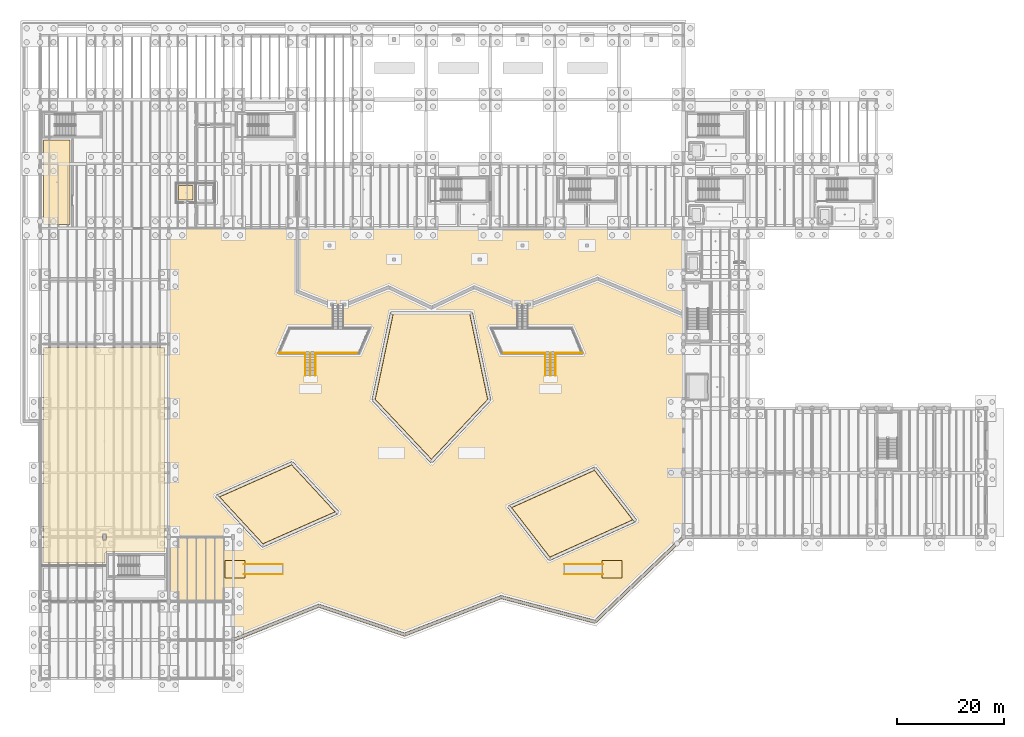
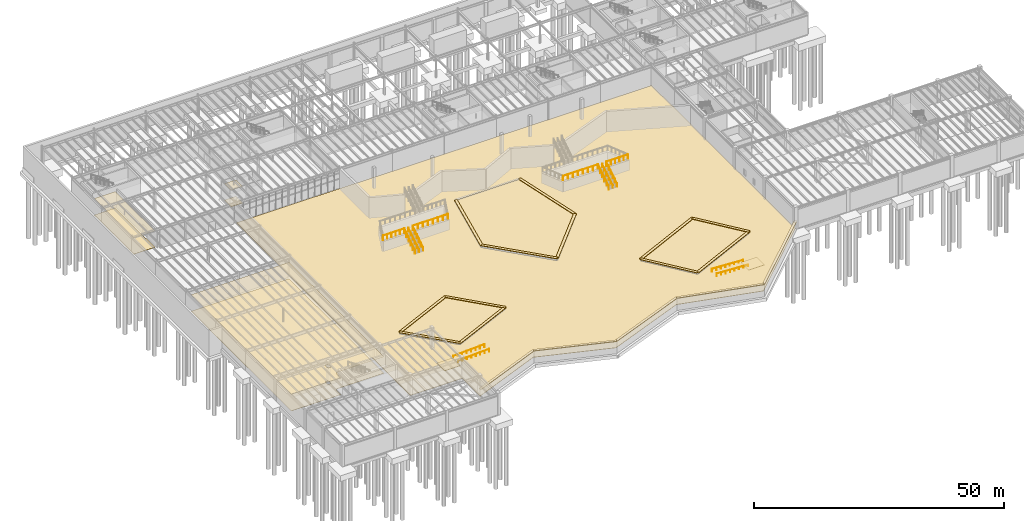
# One storey, part 53 of 67: 29 coverings, 14 railings.
"""IFC4 building model written with IfcOpenShell, lengths in metres."""

from ifc_helpers import new_model, si_unit, direction, frame, origin, origin_2d, place, context, subcontext, project, spatial, polyline, circle, outline, extrude, material, layer, layer_set, type_object, element, save


model = new_model("IFC4")

# Units and contexts
model_context = context("Model", 3, precision=1e-05, world=origin(), true_north=direction((0.0, 1.0)))
body_context = subcontext(model_context, "Body", "Model", "MODEL_VIEW")
ifc_project = project(units=[si_unit("LENGTHUNIT", "METRE"), si_unit("AREAUNIT", "SQUARE_METRE"), si_unit("VOLUMEUNIT", "CUBIC_METRE"), si_unit("PLANEANGLEUNIT", "RADIAN"), si_unit("MASSUNIT", "GRAM", prefix="KILO")], contexts=[model_context])

# Site, building, storey
site_placement = place(None, origin())
site = spatial("IfcSite", under=ifc_project, at=site_placement, CompositionType="ELEMENT")
building_placement = place(site_placement, origin())
building = spatial("IfcBuilding", under=site, at=building_placement, Name="Zlatogorsky Bluff Art Gallery", CompositionType="ELEMENT")
storey_placement = place(building_placement, frame((0.0, 0.0, -5.39990234375)))
storey = spatial("IfcBuildingStorey", under=building, at=storey_placement, Name="B1", CompositionType="ELEMENT", Elevation=-5.39990234375)

# Coverings
ifc_material_1 = material(Name="Perforated Gypsum Acoustic Board", Category="gypsum")
ifc_layer_1 = layer(ifc_material_1, 0.0400390625)
ifc_layer_set_1 = layer_set([ifc_layer_1], Name="Acoustic Gallery Ceiling CLG-01")
covering_type_1 = type_object("IfcCoveringType", Name="Acoustic Gallery Ceiling CLG-01", PredefinedType="CEILING", material=ifc_layer_set_1)
covering_1_placement = place(storey_placement, frame((0.0, 0.0, 4.0498046875)))
element("IfcCovering", 1, at=covering_1_placement, inside=storey, type_object=covering_type_1, Name="Public Restrooms and Staff WC acoustic ceiling", PredefinedType="CEILING", context=body_context, shape_type="SweptSolid", body=[
    extrude(outline(polyline([(28.550048828125, 91.949951171875), (28.550048828125, 89.25), (25.85009765625, 89.25), (25.85009765625, 91.949951171875), (28.550048828125, 91.949951171875)])), origin(), (0.0, 0.0, 1.0), 0.0400390625),
])
covering_2_placement = place(storey_placement, frame((0.0, 0.0, 4.0498046875)))
element("IfcCovering", 2, at=covering_2_placement, inside=storey, type_object=covering_type_1, Name="Conservation Framing and Crating Studio acoustic ceiling", PredefinedType="CEILING", context=body_context, shape_type="SweptSolid", body=[
    extrude(outline(polyline([(12.549072265625, 23.659912109375), (12.504638671875, 23.65771484375), (12.460693359375, 23.6513671875), (12.459716796875, 23.651123046875), (12.450439453125, 23.649169921875), (12.449462890625, 23.64892578125), (12.40625, 23.636962890625), (12.3642578125, 23.620849609375), (12.362548828125, 23.6201171875), (12.326904296875, 23.602294921875), (12.325927734375, 23.601806640625), (12.293701171875, 23.58203125), (12.26318359375, 23.559814453125), (12.26171875, 23.55859375), (12.224609375, 23.525390625), (12.19140625, 23.48828125), (12.190185546875, 23.48681640625), (12.16796875, 23.456298828125), (12.148193359375, 23.424072265625), (12.147705078125, 23.423095703125), (12.1298828125, 23.387451171875), (12.129150390625, 23.3857421875), (12.113037109375, 23.34375), (12.10107421875, 23.300537109375), (12.100830078125, 23.299560546875), (12.098876953125, 23.290283203125), (12.0986328125, 23.289306640625), (12.09228515625, 23.245361328125), (12.090087890625, 23.200927734375), (12.090087890625, 21.52490234375), (0.669921875, 21.52490234375), (0.669921875, 61.72998046875), (23.330078125, 61.72998046875), (23.330078125, 23.659912109375), (12.549072265625, 23.659912109375)]), holes=[polyline([(11.6201171875, 25.8701171875), (12.3798828125, 25.8701171875), (12.3798828125, 26.929931640625), (11.6201171875, 26.929931640625), (11.6201171875, 25.8701171875)])]), origin(), (0.0, 0.0, 1.0), 0.0400390625),
])
covering_3_placement = place(storey_placement, frame((0.0, 0.0, 4.0498046875)))
element("IfcCovering", 3, at=covering_3_placement, inside=storey, type_object=covering_type_1, Name="Climate-Controlled Art Stores acoustic ceiling", PredefinedType="CEILING", context=body_context, shape_type="SweptSolid", body=[
    extrude(outline(polyline([(0.669921875, 100.489990234375), (5.550048828125, 100.489990234375), (5.550048828125, 84.669921875), (0.669921875, 84.669921875), (0.669921875, 100.489990234375)])), origin(), (0.0, 0.0, 1.0), 0.0400390625),
])
ifc_material_2 = material(Name="Honed Red Agra-Tone Quartzitic Sandstone", Category="masonry")
ifc_layer_2 = layer(ifc_material_2, 0.1201171875)
ifc_layer_set_2 = layer_set([ifc_layer_2], Name="Carved Sandstone Cladding CLD-02")
covering_type_2 = type_object("IfcCoveringType", Name="Carved Sandstone Cladding CLD-02", PredefinedType="CLADDING", material=ifc_layer_set_2)
covering_4_placement = place(storey_placement, frame((0.0, 0.0, 0.489990234375)))
element("IfcCovering", 4, at=covering_4_placement, inside=storey, type_object=covering_type_2, Name="Sandstone bluff wall coping PRW-01", PredefinedType="CLADDING", context=body_context, shape_type="SweptSolid", body=[
    extrude(outline(polyline([(65.30859375, 68.260986328125), (61.884033203125, 51.943603515625), (62.466796875, 51.821533203125), (65.891357421875, 68.138916015625), (65.30859375, 68.260986328125)])), origin(), (0.0, 0.0, 1.0), 0.14990234375),
])
covering_5_placement = place(storey_placement, frame((0.0, 0.0, 0.489990234375)))
element("IfcCovering", 5, at=covering_5_placement, inside=storey, type_object=covering_type_2, Name="Sandstone bluff wall coping PRW-02", PredefinedType="CLADDING", context=body_context, shape_type="SweptSolid", body=[
    extrude(outline(polyline([(61.983154296875, 51.79638671875), (72.865234375, 40.208740234375), (73.299072265625, 40.6162109375), (62.4169921875, 52.20361328125), (61.983154296875, 51.79638671875)])), origin(), (0.0, 0.0, 1.0), 0.14990234375),
])
covering_6_placement = place(storey_placement, frame((0.0, 0.0, 0.489990234375)))
element("IfcCovering", 6, at=covering_6_placement, inside=storey, type_object=covering_type_2, Name="Sandstone bluff wall coping PRW-03", PredefinedType="CLADDING", context=body_context, shape_type="SweptSolid", body=[
    extrude(outline(polyline([(73.216796875, 40.29638671875), (84.09912109375, 51.8837890625), (83.665283203125, 52.291259765625), (72.783203125, 40.70361328125), (73.216796875, 40.29638671875)])), origin(), (0.0, 0.0, 1.0), 0.14990234375),
])
covering_7_placement = place(storey_placement, frame((0.0, 0.0, 0.489990234375)))
element("IfcCovering", 7, at=covering_7_placement, inside=storey, type_object=covering_type_2, Name="Sandstone bluff wall coping PRW-04", PredefinedType="CLADDING", context=body_context, shape_type="SweptSolid", body=[
    extrude(outline(polyline([(84.09130859375, 52.06103515625), (80.666748046875, 68.37841796875), (80.083984375, 68.25634765625), (83.5087890625, 51.93896484375), (84.09130859375, 52.06103515625)])), origin(), (0.0, 0.0, 1.0), 0.14990234375),
])
covering_8_placement = place(storey_placement, frame((0.0, 0.0, 1.619873046875)))
element("IfcCovering", 8, at=covering_8_placement, inside=storey, type_object=covering_type_2, Name="Sandstone bluff wall coping SBF-01", PredefinedType="CLADDING", context=body_context, shape_type="SweptSolid", body=[
    extrude(outline(polyline([(36.110595703125, 6.923583984375), (52.221923828125, 13.368408203125), (52.0009765625, 13.9208984375), (35.889404296875, 7.476318359375), (36.110595703125, 6.923583984375)])), origin(), (0.0, 0.0, 1.0), 0.150146484375),
])
covering_9_placement = place(storey_placement, frame((0.0, 0.0, 1.619873046875)))
element("IfcCovering", 9, at=covering_9_placement, inside=storey, type_object=covering_type_2, Name="Sandstone bluff wall coping SBF-02", PredefinedType="CLADDING", context=body_context, shape_type="SweptSolid", body=[
    extrude(outline(polyline([(51.90478515625, 13.318115234375), (68.0185546875, 7.879638671875), (68.208984375, 8.443603515625), (52.09521484375, 13.882080078125), (51.90478515625, 13.318115234375)])), origin(), (0.0, 0.0, 1.0), 0.150146484375),
])
covering_10_placement = place(storey_placement, frame((0.0, 0.0, 1.619873046875)))
element("IfcCovering", 10, at=covering_10_placement, inside=storey, type_object=covering_type_2, Name="Sandstone bluff wall coping SBF-03", PredefinedType="CLADDING", context=body_context, shape_type="SweptSolid", body=[
    extrude(outline(polyline([(68.10791015625, 7.922607421875), (86.2197265625, 14.966064453125), (86.00390625, 15.52099609375), (67.89208984375, 8.477294921875), (68.10791015625, 7.922607421875)])), origin(), (0.0, 0.0, 1.0), 0.150146484375),
])
covering_11_placement = place(storey_placement, frame((0.0, 0.0, 1.619873046875)))
element("IfcCovering", 11, at=covering_11_placement, inside=storey, type_object=covering_type_2, Name="Sandstone bluff wall coping SBF-04", PredefinedType="CLADDING", context=body_context, shape_type="SweptSolid", body=[
    extrude(outline(polyline([(85.92431640625, 14.912109375), (103.540283203125, 10.28173828125), (103.69189453125, 10.857421875), (86.07568359375, 15.48779296875), (85.92431640625, 14.912109375)])), origin(), (0.0, 0.0, 1.0), 0.150146484375),
])
covering_12_placement = place(storey_placement, frame((0.0, 0.0, 1.619873046875)))
element("IfcCovering", 12, at=covering_12_placement, inside=storey, type_object=covering_type_2, Name="Sandstone bluff wall coping SBF-05", PredefinedType="CLADDING", context=body_context, shape_type="SweptSolid", body=[
    extrude(outline(polyline([(103.705810546875, 10.385009765625), (120.29248046875, 26.26806640625), (119.880859375, 26.697998046875), (103.294189453125, 10.81494140625), (103.705810546875, 10.385009765625)])), origin(), (0.0, 0.0, 1.0), 0.150146484375),
])
covering_13_placement = place(storey_placement, frame((0.0, 0.0, 0.349853515625)))
element("IfcCovering", 13, at=covering_13_placement, inside=storey, type_object=covering_type_2, Name="Sandstone bluff wall coping WPL-01", PredefinedType="CLADDING", context=body_context, shape_type="SweptSolid", body=[
    extrude(outline(polyline([(33.12060546875, 33.727783203125), (47.230224609375, 39.9765625), (46.9892578125, 40.520751953125), (32.87939453125, 34.272216796875), (33.12060546875, 33.727783203125)])), origin(), (0.0, 0.0, 1.0), 0.150146484375),
])
covering_14_placement = place(storey_placement, frame((0.0, 0.0, 0.349853515625)))
element("IfcCovering", 14, at=covering_14_placement, inside=storey, type_object=covering_type_2, Name="Sandstone bluff wall coping WPL-02", PredefinedType="CLADDING", context=body_context, shape_type="SweptSolid", body=[
    extrude(outline(polyline([(46.781494140625, 39.998046875), (55.36279296875, 30.7099609375), (55.800048828125, 31.114013671875), (47.218505859375, 40.402099609375), (46.781494140625, 39.998046875)])), origin(), (0.0, 0.0, 1.0), 0.150146484375),
])
covering_15_placement = place(storey_placement, frame((0.0, 0.0, 0.349853515625)))
element("IfcCovering", 15, at=covering_15_placement, inside=storey, type_object=covering_type_2, Name="Sandstone bluff wall coping WPL-03", PredefinedType="CLADDING", context=body_context, shape_type="SweptSolid", body=[
    extrude(outline(polyline([(55.37939453125, 31.272216796875), (41.269775390625, 25.0234375), (41.5107421875, 24.479248046875), (55.62060546875, 30.727783203125), (55.37939453125, 31.272216796875)])), origin(), (0.0, 0.0, 1.0), 0.150146484375),
])
covering_16_placement = place(storey_placement, frame((0.0, 0.0, 0.349853515625)))
element("IfcCovering", 16, at=covering_16_placement, inside=storey, type_object=covering_type_2, Name="Sandstone bluff wall coping WPL-04", PredefinedType="CLADDING", context=body_context, shape_type="SweptSolid", body=[
    extrude(outline(polyline([(41.718505859375, 25.001953125), (33.13720703125, 34.2900390625), (32.699951171875, 33.885986328125), (41.281494140625, 24.597900390625), (41.718505859375, 25.001953125)])), origin(), (0.0, 0.0, 1.0), 0.150146484375),
])
covering_17_placement = place(storey_placement, frame((0.0, 0.0, 0.349853515625)))
element("IfcCovering", 17, at=covering_17_placement, inside=storey, type_object=covering_type_2, Name="Sandstone bluff wall coping EPL-01", PredefinedType="CLADDING", context=body_context, shape_type="SweptSolid", body=[
    extrude(outline(polyline([(87.6220703125, 31.728515625), (103.7314453125, 38.977783203125), (103.4873046875, 39.5205078125), (87.3779296875, 32.271484375), (87.6220703125, 31.728515625)])), origin(), (0.0, 0.0, 1.0), 0.150146484375),
])
covering_18_placement = place(storey_placement, frame((0.0, 0.0, 0.349853515625)))
element("IfcCovering", 18, at=covering_18_placement, inside=storey, type_object=covering_type_2, Name="Sandstone bluff wall coping EPL-02", PredefinedType="CLADDING", context=body_context, shape_type="SweptSolid", body=[
    extrude(outline(polyline([(103.2646484375, 39.01806640625), (110.837890625, 29.22314453125), (111.308837890625, 29.587158203125), (103.7353515625, 39.382080078125), (103.2646484375, 39.01806640625)])), origin(), (0.0, 0.0, 1.0), 0.150146484375),
])
covering_19_placement = place(storey_placement, frame((0.0, 0.0, 0.349853515625)))
element("IfcCovering", 19, at=covering_19_placement, inside=storey, type_object=covering_type_2, Name="Sandstone bluff wall coping EPL-03", PredefinedType="CLADDING", context=body_context, shape_type="SweptSolid", body=[
    extrude(outline(polyline([(110.8779296875, 29.771484375), (94.7685546875, 22.522216796875), (95.0126953125, 21.9794921875), (111.1220703125, 29.228515625), (110.8779296875, 29.771484375)])), origin(), (0.0, 0.0, 1.0), 0.150146484375),
])
covering_20_placement = place(storey_placement, frame((0.0, 0.0, 0.349853515625)))
element("IfcCovering", 20, at=covering_20_placement, inside=storey, type_object=covering_type_2, Name="Sandstone bluff wall coping EPL-04", PredefinedType="CLADDING", context=body_context, shape_type="SweptSolid", body=[
    extrude(outline(polyline([(95.2353515625, 22.48193359375), (87.662109375, 32.27685546875), (87.191162109375, 31.912841796875), (94.7646484375, 22.117919921875), (95.2353515625, 22.48193359375)])), origin(), (0.0, 0.0, 1.0), 0.150146484375),
])

# Railings
ifc_material_3 = material(Name="Architectural Bronze and Laminated Glass", Category="glass")
railing_type_1 = type_object("IfcRailingType", Name="Gallery Guard Rail 1100mm", PredefinedType="GUARDRAIL", material=ifc_material_3)
for number, where, name in (
    (21, (49.449951171875, 56.550048828125, 0.0), "ST-AMP-1 flight 1 W guard rail"),
    (22, (51.35009765625, 56.550048828125, 0.0), "ST-AMP-1 flight 1 E guard rail"),
):
    element("IfcRailing", number, at=place(storey_placement, frame(where)), inside=storey, type_object=railing_type_1, Name=name, PredefinedType="GUARDRAIL", context=body_context, shape_type="SweptSolid", body=[
        extrude(circle(Radius=0.02392578125, at=origin_2d()), frame((0.0, 0.0, 1.076171875), z_axis=(0.0, 0.841180064094, 0.540755119968), x_axis=(-1.0, 0.0, 0.0)), (0.0, 0.0, 1.0), 4.992919921875),
        extrude(circle(Radius=0.02099609375, at=origin_2d()), origin(), (0.0, 0.0, 1.0), 1.052001953125),
        extrude(circle(Radius=0.02099609375, at=origin_2d()), frame((0.0, 0.840087890625, 0.5400390625)), (0.0, 0.0, 1.0), 1.052001953125),
        extrude(circle(Radius=0.02099609375, at=origin_2d()), frame((0.0, 1.679931640625, 1.080078125)), (0.0, 0.0, 1.0), 1.052001953125),
        extrude(circle(Radius=0.02099609375, at=origin_2d()), frame((0.0, 2.52001953125, 1.619873046875)), (0.0, 0.0, 1.0), 1.052001953125),
        extrude(circle(Radius=0.02099609375, at=origin_2d()), frame((0.0, 3.35986328125, 2.159912109375)), (0.0, 0.0, 1.0), 1.052001953125),
        extrude(circle(Radius=0.02099609375, at=origin_2d()), frame((0.0, 4.199951171875, 2.699951171875)), (0.0, 0.0, 1.0), 1.052001953125),
    ])
railing_1_placement = place(storey_placement, frame((44.5, 60.75, 2.699951171875)))
element("IfcRailing", 23, at=railing_1_placement, inside=storey, type_object=railing_type_1, Name="ST-AMP-1 mid-terrace guardrail 1", PredefinedType="GUARDRAIL", context=body_context, shape_type="SweptSolid", body=[
    extrude(circle(Radius=0.02392578125, at=origin_2d()), frame((0.0, 0.0, 1.076171875), z_axis=(1.0, 0.0, 0.0), x_axis=(0.0, 1.0, 0.0)), (0.0, 0.0, 1.0), 4.89990234375),
    extrude(circle(Radius=0.02099609375, at=origin_2d()), origin(), (0.0, 0.0, 1.0), 1.052001953125),
    extrude(circle(Radius=0.02099609375, at=origin_2d()), frame((0.97998046875, 0.0, 0.0)), (0.0, 0.0, 1.0), 1.052001953125),
    extrude(circle(Radius=0.02099609375, at=origin_2d()), frame((1.9599609375, 0.0, 0.0)), (0.0, 0.0, 1.0), 1.052001953125),
    extrude(circle(Radius=0.02099609375, at=origin_2d()), frame((2.93994140625, 0.0, 0.0)), (0.0, 0.0, 1.0), 1.052001953125),
    extrude(circle(Radius=0.02099609375, at=origin_2d()), frame((3.919921875, 0.0, 0.0)), (0.0, 0.0, 1.0), 1.052001953125),
    extrude(circle(Radius=0.02099609375, at=origin_2d()), frame((4.89990234375, 0.0, 0.0)), (0.0, 0.0, 1.0), 1.052001953125),
])
railing_2_placement = place(storey_placement, frame((51.39990234375, 60.75, 2.699951171875)))
element("IfcRailing", 24, at=railing_2_placement, inside=storey, type_object=railing_type_1, Name="ST-AMP-1 mid-terrace guardrail 2", PredefinedType="GUARDRAIL", context=body_context, shape_type="SweptSolid", body=[
    extrude(circle(Radius=0.02392578125, at=origin_2d()), frame((0.0, 0.0, 1.076171875), z_axis=(1.0, 0.0, 0.0), x_axis=(0.0, 1.0, 0.0)), (0.0, 0.0, 1.0), 8.10009765625),
    extrude(circle(Radius=0.02099609375, at=origin_2d()), origin(), (0.0, 0.0, 1.0), 1.052001953125),
    extrude(circle(Radius=0.02099609375, at=origin_2d()), frame((1.1572265625, 0.0, 0.0)), (0.0, 0.0, 1.0), 1.052001953125),
    extrude(circle(Radius=0.02099609375, at=origin_2d()), frame((2.314208984375, 0.0, 0.0)), (0.0, 0.0, 1.0), 1.052001953125),
    extrude(circle(Radius=0.02099609375, at=origin_2d()), frame((3.471435546875, 0.0, 0.0)), (0.0, 0.0, 1.0), 1.052001953125),
    extrude(circle(Radius=0.02099609375, at=origin_2d()), frame((4.628662109375, 0.0, 0.0)), (0.0, 0.0, 1.0), 1.052001953125),
    extrude(circle(Radius=0.02099609375, at=origin_2d()), frame((5.785888671875, 0.0, 0.0)), (0.0, 0.0, 1.0), 1.052001953125),
    extrude(circle(Radius=0.02099609375, at=origin_2d()), frame((6.94287109375, 0.0, 0.0)), (0.0, 0.0, 1.0), 1.052001953125),
    extrude(circle(Radius=0.02099609375, at=origin_2d()), frame((8.10009765625, 0.0, 0.0)), (0.0, 0.0, 1.0), 1.052001953125),
])
for number, where, name in (
    (25, (94.25, 56.550048828125, 0.0), "ST-AMP-2 flight 1 W guard rail"),
    (26, (96.14990234375, 56.550048828125, 0.0), "ST-AMP-2 flight 1 E guard rail"),
):
    element("IfcRailing", number, at=place(storey_placement, frame(where)), inside=storey, type_object=railing_type_1, Name=name, PredefinedType="GUARDRAIL", context=body_context, shape_type="SweptSolid", body=[
        extrude(circle(Radius=0.02392578125, at=origin_2d()), frame((0.0, 0.0, 1.076171875), z_axis=(0.0, 0.841180064094, 0.540755119968), x_axis=(-1.0, 0.0, 0.0)), (0.0, 0.0, 1.0), 4.992919921875),
        extrude(circle(Radius=0.02099609375, at=origin_2d()), origin(), (0.0, 0.0, 1.0), 1.052001953125),
        extrude(circle(Radius=0.02099609375, at=origin_2d()), frame((0.0, 0.840087890625, 0.5400390625)), (0.0, 0.0, 1.0), 1.052001953125),
        extrude(circle(Radius=0.02099609375, at=origin_2d()), frame((0.0, 1.679931640625, 1.080078125)), (0.0, 0.0, 1.0), 1.052001953125),
        extrude(circle(Radius=0.02099609375, at=origin_2d()), frame((0.0, 2.52001953125, 1.619873046875)), (0.0, 0.0, 1.0), 1.052001953125),
        extrude(circle(Radius=0.02099609375, at=origin_2d()), frame((0.0, 3.35986328125, 2.159912109375)), (0.0, 0.0, 1.0), 1.052001953125),
        extrude(circle(Radius=0.02099609375, at=origin_2d()), frame((0.0, 4.199951171875, 2.699951171875)), (0.0, 0.0, 1.0), 1.052001953125),
    ])
railing_3_placement = place(storey_placement, frame((86.10009765625, 60.75, 2.699951171875)))
element("IfcRailing", 27, at=railing_3_placement, inside=storey, type_object=railing_type_1, Name="ST-AMP-2 mid-terrace guardrail 1", PredefinedType="GUARDRAIL", context=body_context, shape_type="SweptSolid", body=[
    extrude(circle(Radius=0.02392578125, at=origin_2d()), frame((0.0, 0.0, 1.076171875), z_axis=(1.0, 0.0, 0.0), x_axis=(0.0, 1.0, 0.0)), (0.0, 0.0, 1.0), 8.099853515625),
    extrude(circle(Radius=0.02099609375, at=origin_2d()), origin(), (0.0, 0.0, 1.0), 1.052001953125),
    extrude(circle(Radius=0.02099609375, at=origin_2d()), frame((1.1572265625, 0.0, 0.0)), (0.0, 0.0, 1.0), 1.052001953125),
    extrude(circle(Radius=0.02099609375, at=origin_2d()), frame((2.314208984375, 0.0, 0.0)), (0.0, 0.0, 1.0), 1.052001953125),
    extrude(circle(Radius=0.02099609375, at=origin_2d()), frame((3.471435546875, 0.0, 0.0)), (0.0, 0.0, 1.0), 1.052001953125),
    extrude(circle(Radius=0.02099609375, at=origin_2d()), frame((4.62841796875, 0.0, 0.0)), (0.0, 0.0, 1.0), 1.052001953125),
    extrude(circle(Radius=0.02099609375, at=origin_2d()), frame((5.78564453125, 0.0, 0.0)), (0.0, 0.0, 1.0), 1.052001953125),
    extrude(circle(Radius=0.02099609375, at=origin_2d()), frame((6.942626953125, 0.0, 0.0)), (0.0, 0.0, 1.0), 1.052001953125),
    extrude(circle(Radius=0.02099609375, at=origin_2d()), frame((8.099853515625, 0.0, 0.0)), (0.0, 0.0, 1.0), 1.052001953125),
])
railing_4_placement = place(storey_placement, frame((96.199951171875, 60.75, 2.699951171875)))
element("IfcRailing", 28, at=railing_4_placement, inside=storey, type_object=railing_type_1, Name="ST-AMP-2 mid-terrace guardrail 2", PredefinedType="GUARDRAIL", context=body_context, shape_type="SweptSolid", body=[
    extrude(circle(Radius=0.02392578125, at=origin_2d()), frame((0.0, 0.0, 1.076171875), z_axis=(1.0, 0.0, 0.0), x_axis=(0.0, 1.0, 0.0)), (0.0, 0.0, 1.0), 4.900146484375),
    extrude(circle(Radius=0.02099609375, at=origin_2d()), origin(), (0.0, 0.0, 1.0), 1.052001953125),
    extrude(circle(Radius=0.02099609375, at=origin_2d()), frame((0.97998046875, 0.0, 0.0)), (0.0, 0.0, 1.0), 1.052001953125),
    extrude(circle(Radius=0.02099609375, at=origin_2d()), frame((1.9599609375, 0.0, 0.0)), (0.0, 0.0, 1.0), 1.052001953125),
    extrude(circle(Radius=0.02099609375, at=origin_2d()), frame((2.940185546875, 0.0, 0.0)), (0.0, 0.0, 1.0), 1.052001953125),
    extrude(circle(Radius=0.02099609375, at=origin_2d()), frame((3.920166015625, 0.0, 0.0)), (0.0, 0.0, 1.0), 1.052001953125),
    extrude(circle(Radius=0.02099609375, at=origin_2d()), frame((4.900146484375, 0.0, 0.0)), (0.0, 0.0, 1.0), 1.052001953125),
])

# Coverings
ifc_material_4 = material(Name="Flamed Karelian Granite and Red Porphyry Charbagh Paving", Category="masonry")
ifc_layer_3 = layer(ifc_material_4, 0.06005859375)
ifc_layer_set_3 = layer_set([ifc_layer_3], Name="Granite Plaza Paving PAV-01")
covering_type_3 = type_object("IfcCoveringType", Name="Granite Plaza Paving PAV-01", PredefinedType="FLOORING", material=ifc_layer_set_3)
covering_21_placement = place(storey_placement, frame((0.0, 0.0, 0.4599609375)))
element("IfcCovering", 29, at=covering_21_placement, inside=storey, type_object=covering_type_3, Name="Central splayed concrete sculpture promontory deck (-2.40m)", PredefinedType="FLOORING", context=body_context, shape_type="SweptSolid", body=[
    extrude(outline(polyline([(65.60009765625, 68.199951171875), (62.199951171875, 52.0), (73.0, 40.5), (83.800048828125, 52.0), (80.39990234375, 68.199951171875), (65.60009765625, 68.199951171875)])), origin(), (0.0, 0.0, 1.0), 0.079833984375),
])
covering_22_placement = place(storey_placement, frame((0.0, 0.0, -0.080078125)))
element("IfcCovering", 30, at=covering_22_placement, inside=storey, type_object=covering_type_3, Name="Open-to-sky sunken sculpture & education court stone paving 1 (-5.40m)", PredefinedType="FLOORING", context=body_context, shape_type="SweptSolid", body=[
    extrude(outline(polyline([(103.5, 10.60009765625), (86.0, 15.199951171875), (68.0, 8.199951171875), (52.0, 13.60009765625), (36.0, 7.199951171875), (36.0, 14.39990234375), (24.0, 14.39990234375), (24.0, 26.39990234375), (24.0, 38.39990234375), (24.0, 50.39990234375), (24.0, 62.39990234375), (24.0, 74.39990234375), (24.0, 84.0), (36.0, 84.0), (48.0, 84.0), (60.0, 84.0), (72.0, 84.0), (84.0, 84.0), (96.0, 84.0), (108.0, 84.0), (120.0, 84.0), (120.0, 74.39990234375), (120.0, 62.39990234375), (120.0, 50.39990234375), (120.0, 38.39990234375), (120.0, 26.39990234375), (103.5, 10.60009765625)]), holes=[polyline([(103.5, 39.199951171875), (87.5, 32.0), (95.0, 22.300048828125), (111.0, 29.5), (103.5, 39.199951171875)]), polyline([(47.0, 40.199951171875), (33.0, 34.0), (41.5, 24.800048828125), (55.5, 31.0), (47.0, 40.199951171875)]), polyline([(80.39990234375, 68.199951171875), (65.60009765625, 68.199951171875), (62.199951171875, 52.0), (73.0, 40.5), (83.800048828125, 52.0), (80.39990234375, 68.199951171875)])]), origin(), (0.0, 0.0, 1.0), 0.080078125),
])
covering_23_placement = place(storey_placement, frame((0.0, 0.0, -0.420166015625)))
element("IfcCovering", 31, at=covering_23_placement, inside=storey, type_object=covering_type_3, Name="Sunken court charbagh reflecting basin 1", PredefinedType="FLOORING", context=body_context, shape_type="SweptSolid", body=[
    extrude(outline(polyline([(34.5, 18.800048828125), (38.199951171875, 18.800048828125), (38.199951171875, 22.0), (34.5, 22.0), (34.5, 18.800048828125)])), origin(), (0.0, 0.0, 1.0), 0.06005859375),
])
covering_24_placement = place(storey_placement, frame((0.0, 0.0, -0.420166015625)))
element("IfcCovering", 32, at=covering_24_placement, inside=storey, type_object=covering_type_3, Name="Sunken court charbagh reflecting basin 2", PredefinedType="FLOORING", context=body_context, shape_type="SweptSolid", body=[
    extrude(outline(polyline([(104.800048828125, 18.800048828125), (108.5, 18.800048828125), (108.5, 22.0), (104.800048828125, 22.0), (104.800048828125, 18.800048828125)])), origin(), (0.0, 0.0, 1.0), 0.06005859375),
])
covering_25_placement = place(storey_placement, frame((0.0, 0.0, 0.31982421875)))
element("IfcCovering", 33, at=covering_25_placement, inside=storey, type_object=covering_type_3, Name="Angled sunken-court sculpture plinth deck WPL (-4.10m)", PredefinedType="FLOORING", context=body_context, shape_type="SweptSolid", body=[
    extrude(outline(polyline([(33.0, 34.0), (47.0, 40.199951171875), (55.5, 31.0), (41.5, 24.800048828125), (33.0, 34.0)])), origin(), (0.0, 0.0, 1.0), 0.080078125),
])
covering_26_placement = place(storey_placement, frame((0.0, 0.0, 0.31982421875)))
element("IfcCovering", 34, at=covering_26_placement, inside=storey, type_object=covering_type_3, Name="Angled sunken-court sculpture plinth deck EPL (-4.10m)", PredefinedType="FLOORING", context=body_context, shape_type="SweptSolid", body=[
    extrude(outline(polyline([(87.5, 32.0), (103.5, 39.199951171875), (111.0, 29.5), (95.0, 22.300048828125), (87.5, 32.0)])), origin(), (0.0, 0.0, 1.0), 0.080078125),
])

# Railings
ifc_material_5 = material(Name="Brushed Stainless Steel", Category="steel")
railing_type_2 = type_object("IfcRailingType", Name="Stair Pitch Handrail 900mm", PredefinedType="HANDRAIL", material=ifc_material_5)
for number, where, name in (
    (35, (50.39990234375, 56.550048828125, 0.0), "ST-AMP-1 flight 1 central handrail"),
    (36, (95.199951171875, 56.550048828125, 0.0), "ST-AMP-2 flight 1 central handrail"),
):
    element("IfcRailing", number, at=place(storey_placement, frame(where)), inside=storey, type_object=railing_type_2, Name=name, PredefinedType="HANDRAIL", context=body_context, shape_type="SweptSolid", body=[
        extrude(circle(Radius=0.02392578125, at=origin_2d()), frame((0.0, 0.0, 0.8759765625), z_axis=(0.0, 0.841180064094, 0.540755119968), x_axis=(-1.0, 0.0, 0.0)), (0.0, 0.0, 1.0), 4.992919921875),
        extrude(circle(Radius=0.02099609375, at=origin_2d()), origin(), (0.0, 0.0, 1.0), 0.851806640625),
        extrude(circle(Radius=0.02099609375, at=origin_2d()), frame((0.0, 0.840087890625, 0.5400390625)), (0.0, 0.0, 1.0), 0.851806640625),
        extrude(circle(Radius=0.02099609375, at=origin_2d()), frame((0.0, 1.679931640625, 1.080078125)), (0.0, 0.0, 1.0), 0.851806640625),
        extrude(circle(Radius=0.02099609375, at=origin_2d()), frame((0.0, 2.52001953125, 1.619873046875)), (0.0, 0.0, 1.0), 0.851806640625),
        extrude(circle(Radius=0.02099609375, at=origin_2d()), frame((0.0, 3.35986328125, 2.159912109375)), (0.0, 0.0, 1.0), 0.851806640625),
        extrude(circle(Radius=0.02099609375, at=origin_2d()), frame((0.0, 4.199951171875, 2.699951171875)), (0.0, 0.0, 1.0), 0.851806640625),
    ])
for number, where, name in (
    (37, (38.0, 19.449951171875, -0.360107421875), "Ramp RAMP-05 handrail L"),
    (38, (38.0, 21.35009765625, -0.360107421875), "Ramp RAMP-05 handrail R"),
):
    element("IfcRailing", number, at=place(storey_placement, frame(where)), inside=storey, type_object=railing_type_2, Name=name, PredefinedType="HANDRAIL", context=body_context, shape_type="SweptSolid", body=[
        extrude(circle(Radius=0.02392578125, at=origin_2d()), frame((0.0, 0.0, 0.8759765625), z_axis=(0.99875157867, 0.0, 0.049952818777), x_axis=(0.0, 1.0, 0.0)), (0.0, 0.0, 1.0), 7.208984375),
        extrude(circle(Radius=0.02099609375, at=origin_2d()), origin(), (0.0, 0.0, 1.0), 0.851806640625),
        extrude(circle(Radius=0.02099609375, at=origin_2d()), frame((1.028564453125, 0.0, 0.051513671875)), (0.0, 0.0, 1.0), 0.851806640625),
        extrude(circle(Radius=0.02099609375, at=origin_2d()), frame((2.05712890625, 0.0, 0.102783203125)), (0.0, 0.0, 1.0), 0.851806640625),
        extrude(circle(Radius=0.02099609375, at=origin_2d()), frame((3.085693359375, 0.0, 0.154296875)), (0.0, 0.0, 1.0), 0.851806640625),
        extrude(circle(Radius=0.02099609375, at=origin_2d()), frame((4.1142578125, 0.0, 0.205810546875)), (0.0, 0.0, 1.0), 0.851806640625),
        extrude(circle(Radius=0.02099609375, at=origin_2d()), frame((5.142822265625, 0.0, 0.25732421875)), (0.0, 0.0, 1.0), 0.851806640625),
        extrude(circle(Radius=0.02099609375, at=origin_2d()), frame((6.17138671875, 0.0, 0.30859375)), (0.0, 0.0, 1.0), 0.851806640625),
        extrude(circle(Radius=0.02099609375, at=origin_2d()), frame((7.199951171875, 0.0, 0.360107421875)), (0.0, 0.0, 1.0), 0.851806640625),
    ])
for number, where, name in (
    (39, (105.0, 21.35009765625, -0.360107421875), "Ramp RAMP-06 handrail L"),
    (40, (105.0, 19.449951171875, -0.360107421875), "Ramp RAMP-06 handrail R"),
):
    element("IfcRailing", number, at=place(storey_placement, frame(where)), inside=storey, type_object=railing_type_2, Name=name, PredefinedType="HANDRAIL", context=body_context, shape_type="SweptSolid", body=[
        extrude(circle(Radius=0.02392578125, at=origin_2d()), frame((0.0, 0.0, 0.8759765625), z_axis=(-0.99875157867, 0.0, 0.049952818777), x_axis=(0.0, -1.0, 0.0)), (0.0, 0.0, 1.0), 7.208984375),
        extrude(circle(Radius=0.02099609375, at=origin_2d()), origin(), (0.0, 0.0, 1.0), 0.851806640625),
        extrude(circle(Radius=0.02099609375, at=origin_2d()), frame((-1.028564453125, 0.0, 0.051513671875)), (0.0, 0.0, 1.0), 0.851806640625),
        extrude(circle(Radius=0.02099609375, at=origin_2d()), frame((-2.05712890625, 0.0, 0.102783203125)), (0.0, 0.0, 1.0), 0.851806640625),
        extrude(circle(Radius=0.02099609375, at=origin_2d()), frame((-3.085693359375, 0.0, 0.154296875)), (0.0, 0.0, 1.0), 0.851806640625),
        extrude(circle(Radius=0.02099609375, at=origin_2d()), frame((-4.1142578125, 0.0, 0.205810546875)), (0.0, 0.0, 1.0), 0.851806640625),
        extrude(circle(Radius=0.02099609375, at=origin_2d()), frame((-5.142822265625, 0.0, 0.25732421875)), (0.0, 0.0, 1.0), 0.851806640625),
        extrude(circle(Radius=0.02099609375, at=origin_2d()), frame((-6.17138671875, 0.0, 0.30859375)), (0.0, 0.0, 1.0), 0.851806640625),
        extrude(circle(Radius=0.02099609375, at=origin_2d()), frame((-7.199951171875, 0.0, 0.360107421875)), (0.0, 0.0, 1.0), 0.851806640625),
    ])

# Coverings
ifc_material_6 = material(Name="Polished Ural Marble Terrazzo", Category="masonry")
ifc_layer_4 = layer(ifc_material_6, 0.050048828125)
ifc_layer_set_4 = layer_set([ifc_layer_4], Name="Terrazzo Gallery Flooring FLR-01")
covering_type_4 = type_object("IfcCoveringType", Name="Terrazzo Gallery Flooring FLR-01", PredefinedType="FLOORING", material=ifc_layer_set_4)
covering_27_placement = place(storey_placement, origin())
element("IfcCovering", 41, at=covering_27_placement, inside=storey, type_object=covering_type_4, Name="Public Restrooms and Staff WC terrazzo floor finish", PredefinedType="FLOORING", context=body_context, shape_type="SweptSolid", body=[
    extrude(outline(polyline([(28.550048828125, 91.949951171875), (28.550048828125, 89.25), (25.85009765625, 89.25), (25.85009765625, 91.949951171875), (28.550048828125, 91.949951171875)])), origin(), (0.0, 0.0, 1.0), 0.0498046875),
])
covering_28_placement = place(storey_placement, origin())
element("IfcCovering", 42, at=covering_28_placement, inside=storey, type_object=covering_type_4, Name="Conservation Framing and Crating Studio terrazzo floor finish", PredefinedType="FLOORING", context=body_context, shape_type="SweptSolid", body=[
    extrude(outline(polyline([(12.549072265625, 23.659912109375), (12.504638671875, 23.65771484375), (12.460693359375, 23.6513671875), (12.459716796875, 23.651123046875), (12.450439453125, 23.649169921875), (12.449462890625, 23.64892578125), (12.40625, 23.636962890625), (12.3642578125, 23.620849609375), (12.362548828125, 23.6201171875), (12.326904296875, 23.602294921875), (12.325927734375, 23.601806640625), (12.293701171875, 23.58203125), (12.26318359375, 23.559814453125), (12.26171875, 23.55859375), (12.224609375, 23.525390625), (12.19140625, 23.48828125), (12.190185546875, 23.48681640625), (12.16796875, 23.456298828125), (12.148193359375, 23.424072265625), (12.147705078125, 23.423095703125), (12.1298828125, 23.387451171875), (12.129150390625, 23.3857421875), (12.113037109375, 23.34375), (12.10107421875, 23.300537109375), (12.100830078125, 23.299560546875), (12.098876953125, 23.290283203125), (12.0986328125, 23.289306640625), (12.09228515625, 23.245361328125), (12.090087890625, 23.200927734375), (12.090087890625, 21.52490234375), (0.669921875, 21.52490234375), (0.669921875, 61.72998046875), (23.330078125, 61.72998046875), (23.330078125, 23.659912109375), (12.549072265625, 23.659912109375)]), holes=[polyline([(11.6201171875, 25.8701171875), (12.3798828125, 25.8701171875), (12.3798828125, 26.929931640625), (11.6201171875, 26.929931640625), (11.6201171875, 25.8701171875)])]), origin(), (0.0, 0.0, 1.0), 0.0498046875),
])
covering_29_placement = place(storey_placement, origin())
element("IfcCovering", 43, at=covering_29_placement, inside=storey, type_object=covering_type_4, Name="Climate-Controlled Art Stores terrazzo floor finish", PredefinedType="FLOORING", context=body_context, shape_type="SweptSolid", body=[
    extrude(outline(polyline([(0.669921875, 100.489990234375), (5.550048828125, 100.489990234375), (5.550048828125, 84.669921875), (0.669921875, 84.669921875), (0.669921875, 100.489990234375)])), origin(), (0.0, 0.0, 1.0), 0.0498046875),
])

save(model, "model.ifc")
